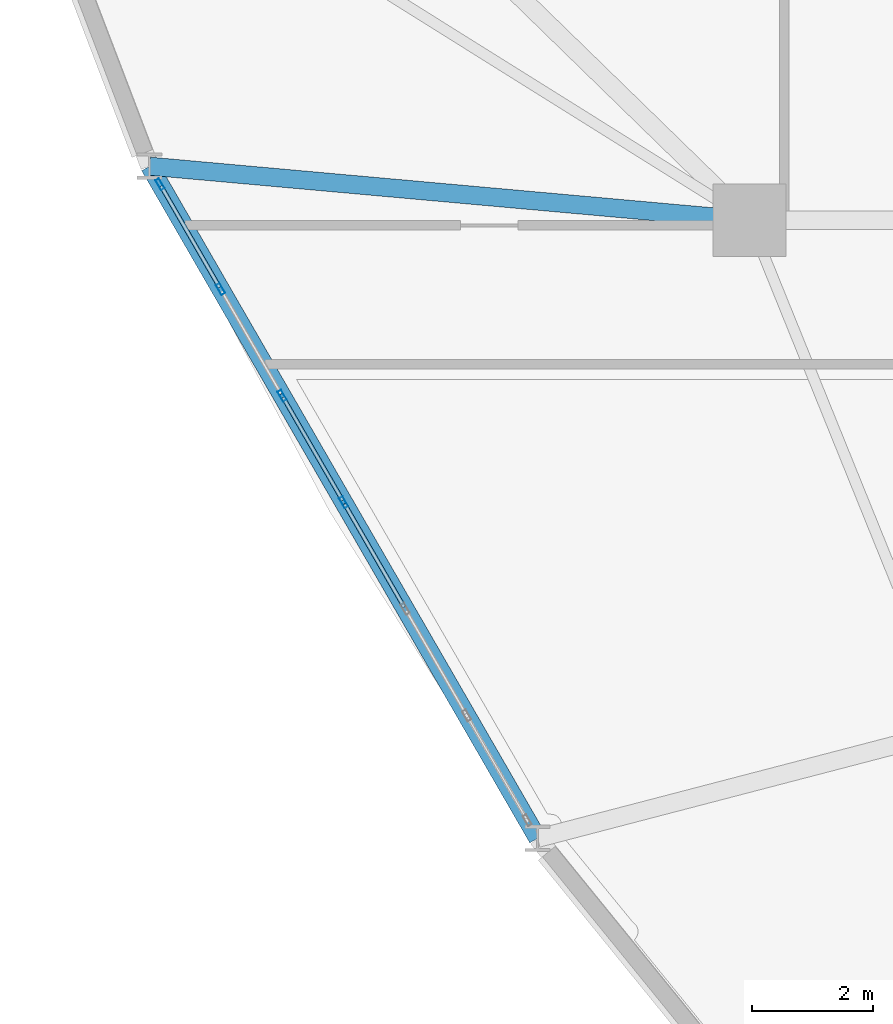
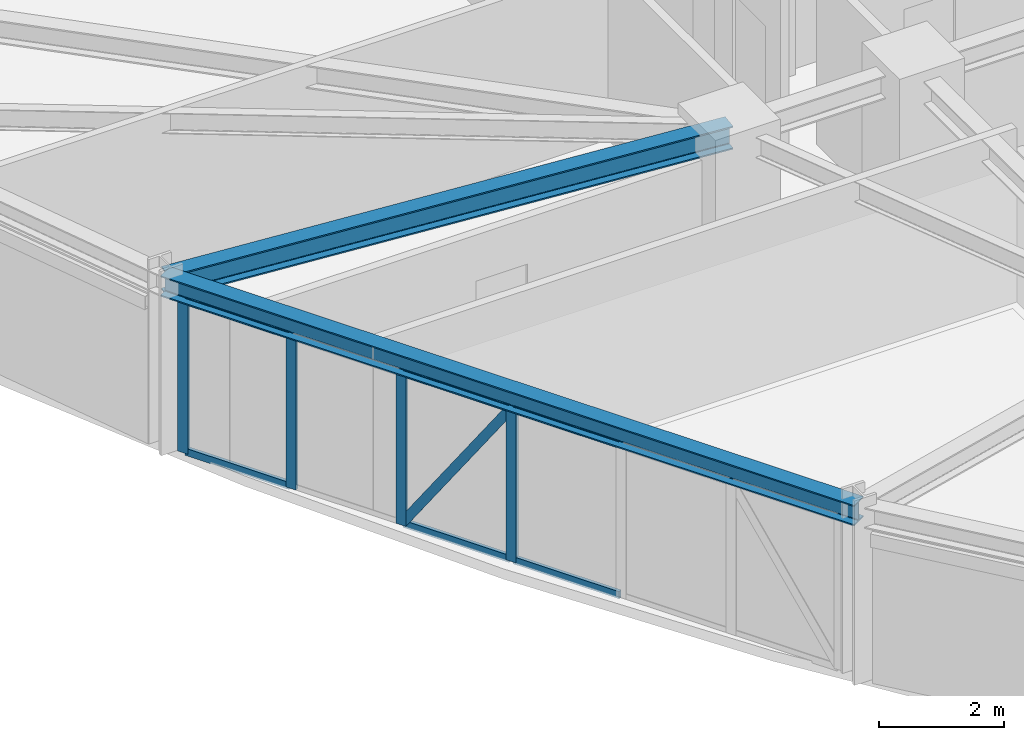
# One storey, part 4 of 15: 11 members, 2 beams, 1 element without a shape of its own.
"""IFC4 building model written with IfcOpenShell, lengths in metres."""

import ifcopenshell
import ifcopenshell.guid

model = None  # the IFC model being written
_history = None  # IfcOwnerHistory: only IFC2X3 demands one
_inside = {}  # id of a spatial element -> (the spatial element, [elements in it])
_under = {}  # id of a project, library or spatial element -> (it, [spatial elements below it])
_declared = {}  # id of a project -> (the project, [libraries it declares])
_typed = {}  # id of a type object -> (the type object, [elements of that type])
_made_of = {}  # id of a material, layer set ... -> (it, [elements and type objects made of it])


def new_model(schema):
    """Start an empty IFC model of exactly this schema.

    Asked for "IFC4X3", IfcOpenShell would pick the latest addendum, in which some entities
    have other attributes; the version numbers below select the first issue.
    IFC2X3 requires an IfcOwnerHistory on every rooted entity: one is made here for all.
    """
    global model, _history
    if schema == "IFC4X3":
        model = ifcopenshell.file(schema_version=(4, 3, 0, 0))
    else:
        model = ifcopenshell.file(schema=schema)
    _inside.clear()
    _under.clear()
    _declared.clear()
    _typed.clear()
    _made_of.clear()
    _history = None
    if model.schema == "IFC2X3":
        org = make("IfcOrganization", Name="unknown")
        user = make(
            "IfcPersonAndOrganization",
            ThePerson=make("IfcPerson", FamilyName="unknown"),
            TheOrganization=org,
        )
        app = make(
            "IfcApplication",
            ApplicationDeveloper=org,
            Version="unknown",
            ApplicationFullName="unknown",
            ApplicationIdentifier="unknown",
        )
        _history = make(
            "IfcOwnerHistory",
            OwningUser=user,
            OwningApplication=app,
            ChangeAction="ADDED",
            CreationDate=0,
        )
    return model


def make(cls, **values):
    """One entity of the class cls with the attributes given. An attribute that is None is left unset."""
    return model.create_entity(
        cls, **{name: value for name, value in values.items() if value is not None}
    )


def rooted(cls, **values):
    """An entity with a GlobalId (a new one), such as an element, a storey or a relation."""
    return make(cls, GlobalId=ifcopenshell.guid.new(), OwnerHistory=_history, **values)


def si_unit(unit_type, name, prefix=None):
    """IfcSIUnit, for example si_unit("LENGTHUNIT", "METRE", prefix="MILLI")."""
    return make("IfcSIUnit", UnitType=unit_type, Prefix=prefix, Name=name)


def derived_unit(unit_type, elements):
    """IfcDerivedUnit: a product of units, each with its exponent."""
    return make(
        "IfcDerivedUnit",
        Elements=[
            make("IfcDerivedUnitElement", Unit=unit, Exponent=power)
            for unit, power in elements
        ],
        UnitType=unit_type,
    )


def assignment(units):
    """IfcUnitAssignment: the units of a project."""
    return None if units is None else make("IfcUnitAssignment", Units=units)


def point(xyz):
    """IfcCartesianPoint."""
    return None if xyz is None else make("IfcCartesianPoint", Coordinates=xyz)


def direction(xyz):
    """IfcDirection."""
    return None if xyz is None else make("IfcDirection", DirectionRatios=xyz)


def frame(location, z_axis=None, x_axis=None):
    """IfcAxis2Placement3D, a coordinate frame: its origin and axes. An axis left out is left unset."""
    return make(
        "IfcAxis2Placement3D",
        Location=point(location),
        Axis=direction(z_axis),
        RefDirection=direction(x_axis),
    )


def frame_2d(location, x_axis=None):
    """IfcAxis2Placement2D, a coordinate frame in the plane: its origin and x axis."""
    return make(
        "IfcAxis2Placement2D", Location=point(location), RefDirection=direction(x_axis)
    )


def origin():
    """The frame at (0, 0, 0) with its axes left unset."""
    return frame((0.0, 0.0, 0.0))


def origin_2d():
    """The frame at (0, 0) in the plane with its x axis left unset."""
    return frame_2d((0.0, 0.0))


def place(relative_to, where):
    """IfcLocalPlacement: puts the frame where relative to a parent placement (None: the world)."""
    return make(
        "IfcLocalPlacement", PlacementRelTo=relative_to, RelativePlacement=where
    )


def context(
    kind, dimensions, precision=None, world=None, true_north=None, identifier=None
):
    """IfcGeometricRepresentationContext, for example the 3D "Model" context."""
    return make(
        "IfcGeometricRepresentationContext",
        ContextIdentifier=identifier,
        ContextType=kind,
        CoordinateSpaceDimension=dimensions,
        Precision=precision,
        WorldCoordinateSystem=world,
        TrueNorth=true_north,
    )


def subcontext(parent, identifier, kind, view, scale=None):
    """IfcGeometricRepresentationSubContext, for example "Body" below "Model"."""
    return make(
        "IfcGeometricRepresentationSubContext",
        ContextIdentifier=identifier,
        ContextType=kind,
        ParentContext=parent,
        TargetScale=scale,
        TargetView=view,
    )


def project(units=None, contexts=None):
    """IfcProject with its units and contexts."""
    return rooted(
        "IfcProject",
        Name="project",
        RepresentationContexts=contexts,
        UnitsInContext=assignment(units),
    )


def spatial(cls, under=None, at=None, **own):
    """A site, building, storey or space (cls), placed at a placement, below another one or the project."""
    s = rooted(cls, ObjectPlacement=at, **own)
    if under is not None:
        _under.setdefault(under.id(), (under, []))[1].append(s)
    return s


def profile(cls, at=None, kind="AREA", **sizes):
    """A parametric profile (cls). Its sizes go by their IFC names, for example OverallWidth=200.0."""
    return make(cls, ProfileType=kind, Position=at, **sizes)


def hollow_rectangle(**sizes):
    """IfcRectangleHollowProfileDef."""
    return profile("IfcRectangleHollowProfileDef", **sizes)


def i_section(**sizes):
    """IfcIShapeProfileDef."""
    return profile("IfcIShapeProfileDef", **sizes)


def extrude(swept, where, along, depth):
    """IfcExtrudedAreaSolid: the profile swept, set in the frame where, extruded along a direction by depth."""
    return make(
        "IfcExtrudedAreaSolid",
        SweptArea=swept,
        Position=where,
        ExtrudedDirection=direction(along),
        Depth=depth,
    )


def shape(context_of_items, identifier, shape_type, items):
    """IfcShapeRepresentation: the items that make up one representation, for example the "Body"."""
    return make(
        "IfcShapeRepresentation",
        ContextOfItems=context_of_items,
        RepresentationIdentifier=identifier,
        RepresentationType=shape_type,
        Items=items,
    )


def source(mapping_origin, context_of_items, identifier, shape_type, items):
    """IfcRepresentationMap: a shape defined once, which mapped items show again and again."""
    return make(
        "IfcRepresentationMap",
        MappingOrigin=mapping_origin,
        MappedRepresentation=shape(context_of_items, identifier, shape_type, items),
    )


def transform(
    local_origin,
    x_axis=None,
    y_axis=None,
    z_axis=None,
    scale=None,
    scale2=None,
    scale3=None,
    uniform=True,
):
    """IfcCartesianTransformationOperator3D, or its non-uniform kind. x_axis, y_axis, z_axis: its Axis1, 2, 3."""
    if uniform:
        return make(
            "IfcCartesianTransformationOperator3D",
            Axis1=direction(x_axis),
            Axis2=direction(y_axis),
            LocalOrigin=point(local_origin),
            Scale=scale,
            Axis3=direction(z_axis),
        )
    return make(
        "IfcCartesianTransformationOperator3DnonUniform",
        Axis1=direction(x_axis),
        Axis2=direction(y_axis),
        LocalOrigin=point(local_origin),
        Scale=scale,
        Axis3=direction(z_axis),
        Scale2=scale2,
        Scale3=scale3,
    )


def mapped(mapping_source, mapping_target):
    """IfcMappedItem: shows the shape of a source again, moved by a transform."""
    return make(
        "IfcMappedItem", MappingSource=mapping_source, MappingTarget=mapping_target
    )


def material(Name=None, Category=None):
    """IfcMaterial."""
    return make("IfcMaterial", Name=Name, Category=Category)


def layer(
    of_material, thickness, ventilated=None, Name=None, Category=None, Priority=None
):
    """IfcMaterialLayer: one layer of a wall or slab, of a material (None: an air gap)."""
    return make(
        "IfcMaterialLayer",
        Material=of_material,
        LayerThickness=thickness,
        IsVentilated=ventilated,
        Name=Name,
        Category=Category,
        Priority=Priority,
    )


def layer_set(layers, Name=None):
    """IfcMaterialLayerSet."""
    return make("IfcMaterialLayerSet", MaterialLayers=layers, LayerSetName=Name)


def material_profile(
    of_material, cross_section, Name=None, Category=None, Priority=None
):
    """IfcMaterialProfile: a cross section and its material."""
    return make(
        "IfcMaterialProfile",
        Name=Name,
        Material=of_material,
        Profile=cross_section,
        Priority=Priority,
        Category=Category,
    )


def profile_set(profiles, Name=None, composite=None):
    """IfcMaterialProfileSet."""
    return make(
        "IfcMaterialProfileSet",
        Name=Name,
        MaterialProfiles=profiles,
        CompositeProfile=composite,
    )


def made_of(thing, what):
    """Note that an element or type object is made of a material, layer set ...; save() writes the relation."""
    if what is not None:
        _made_of.setdefault(what.id(), (what, []))[1].append(thing)
    return thing


def type_object(cls, material=None, **own):
    """A type object (cls), such as IfcWallType, which elements share."""
    return made_of(rooted(cls, **own), material)


def element(
    cls,
    number,
    at=None,
    inside=None,
    cuts=None,
    type_object=None,
    material=None,
    context=None,
    identifier="Body",
    shape_type=None,
    held_by="IfcProductDefinitionShape",
    body=None,
    shapes=None,
    **own,
):
    """One element of the class cls, such as IfcWall. Its Tag is "e" and its number.

    at: its placement. inside: the storey or other place that contains it. cuts: it is an
    opening in that element (IfcRelVoidsElement). A single representation is given by context,
    identifier, shape_type and body (its items); several are given by shapes. held_by: the class
    of the entity that holds the representations. save() writes the other relations.
    """
    e = rooted(cls, Tag="e%d" % number, ObjectPlacement=at, **own)
    if body is not None:
        shapes = [shape(context, identifier, shape_type, body)]
    if shapes is not None:
        e.Representation = make(held_by, Representations=shapes)
    if inside is not None:
        _inside.setdefault(inside.id(), (inside, []))[1].append(e)
    if cuts is not None:
        rooted(
            "IfcRelVoidsElement", RelatingBuildingElement=cuts, RelatedOpeningElement=e
        )
    if type_object is not None:
        _typed.setdefault(type_object.id(), (type_object, []))[1].append(e)
    return made_of(e, material)


def aggregate(whole, parts):
    """IfcRelAggregates: a whole, such as a stair, and the parts it consists of."""
    return rooted("IfcRelAggregates", RelatingObject=whole, RelatedObjects=parts)


def save(model, path):
    """Write the relations noted so far, then the file.

    IfcRelAggregates (storeys below a building ...), IfcRelContainedInSpatialStructure (elements
    in a storey), IfcRelDefinesByType, IfcRelAssociatesMaterial and IfcRelDeclares: one each for
    every whole, place, type object, material and project.
    """
    for whole, parts in _under.values():
        aggregate(whole, parts)
    for where, things in _inside.values():
        rooted(
            "IfcRelContainedInSpatialStructure",
            RelatedElements=things,
            RelatingStructure=where,
        )
    for kind, things in _typed.values():
        rooted("IfcRelDefinesByType", RelatedObjects=things, RelatingType=kind)
    for what, things in _made_of.values():
        rooted("IfcRelAssociatesMaterial", RelatedObjects=things, RelatingMaterial=what)
    for by, libraries in _declared.values():
        rooted("IfcRelDeclares", RelatingContext=by, RelatedDefinitions=libraries)
    model.write(path)


model = new_model("IFC4")

# Units and contexts
model_context = context("Model", 3, precision=1e-05, world=origin(), true_north=direction((0.0, 1.0)))
body_context = subcontext(model_context, "Body", "Model", "MODEL_VIEW")
ifc_project = project(units=[si_unit("LENGTHUNIT", "METRE"), si_unit("AREAUNIT", "SQUARE_METRE"), si_unit("VOLUMEUNIT", "CUBIC_METRE"), si_unit("PLANEANGLEUNIT", "RADIAN"), si_unit("MASSUNIT", "GRAM", prefix="KILO"), derived_unit("THERMALTRANSMITTANCEUNIT", [(si_unit("POWERUNIT", "WATT"), 1), (si_unit("LENGTHUNIT", "METRE"), -2), (si_unit("THERMODYNAMICTEMPERATUREUNIT", "KELVIN"), -1)])], contexts=[model_context])

# Site, building, storey
site_placement = place(None, origin())
site = spatial("IfcSite", under=ifc_project, at=site_placement, CompositionType="ELEMENT")
building_placement = place(site_placement, origin())
building = spatial("IfcBuilding", under=site, at=building_placement, Name="Korsvarv Bourse and Concert Hall", CompositionType="ELEMENT")
storey_placement = place(building_placement, frame((0.0, 0.0, 161.39990234375)))
storey = spatial("IfcBuildingStorey", under=building, at=storey_placement, Name="L41", CompositionType="ELEMENT", Elevation=161.39990234375)

# Beams
ifc_material_1 = material(Name="Steel S355", Category="steel")
ifc_material_profile_1 = material_profile(ifc_material_1, i_section(OverallWidth=0.300048828125, OverallDepth=0.39990234375, WebThickness=0.013427734375, FlangeThickness=0.02392578125, FilletRadius=0.02099609375, at=origin_2d()), Name="HEB 400")
ifc_profile_set_1 = profile_set([ifc_material_profile_1], Name="Steel S355")
beam_type_1 = type_object("IfcBeamType", Name="BM-HEB400", PredefinedType="SPANDREL", material=ifc_profile_set_1)
shared_shape_1 = source(origin(), body_context, "Body", "SweptSolid", [
    extrude(i_section(OverallWidth=0.300048828125, OverallDepth=0.39990234375, WebThickness=0.013427734375, FlangeThickness=0.02392578125, FilletRadius=0.02099609375, at=origin_2d()), origin(), (0.0, 0.0, 1.0), 12.802978515625),
])
beam_1_placement = place(storey_placement, frame((14.30322265625, 33.2900390625, 3.2001953125), z_axis=(0.500009117708, -0.866020139609, 0.0), x_axis=(0.866020139609, 0.500009117708, 0.0)))
element("IfcBeam", 1, at=beam_1_placement, inside=storey, type_object=beam_type_1, Name="L41 beam B-09", PredefinedType="SPANDREL", context=body_context, shape_type="MappedRepresentation", body=[
    mapped(shared_shape_1, transform((0.0, 0.0, 0.0), scale=1.0)),
])
ifc_material_profile_2 = material_profile(ifc_material_1, i_section(OverallWidth=0.300048828125, OverallDepth=0.449951171875, WebThickness=0.013916015625, FlangeThickness=0.02587890625, FilletRadius=0.02099609375, at=origin_2d()), Name="HEB 450")
ifc_profile_set_2 = profile_set([ifc_material_profile_2], Name="Steel S355")
beam_type_2 = type_object("IfcBeamType", Name="BM-HEB450", PredefinedType="SPANDREL", material=ifc_profile_set_2)
shared_shape_2 = source(origin(), body_context, "Body", "SweptSolid", [
    extrude(i_section(OverallWidth=0.300048828125, OverallDepth=0.449951171875, WebThickness=0.013916015625, FlangeThickness=0.02587890625, FilletRadius=0.02099609375, at=origin_2d()), origin(), (0.0, 0.0, 1.0), 9.936767578125),
])
beam_2_placement = place(storey_placement, frame((14.30322265625, 33.2900390625, 3.175048828125), z_axis=(0.99597954808, -0.089580912063, 0.0), x_axis=(0.089580912063, 0.99597954808, 0.0)))
element("IfcBeam", 2, at=beam_2_placement, inside=storey, type_object=beam_type_2, Name="L41 beam B-08", PredefinedType="SPANDREL", context=body_context, shape_type="MappedRepresentation", body=[
    mapped(shared_shape_2, transform((0.0, 0.0, 0.0), scale=1.0)),
])

# Curtain wall, members
ifc_material_2 = material(Name="Anodised aluminium and triple low-E glazing", Category="glass")
ifc_layer = layer(ifc_material_2, 0.2099609375)
ifc_layer_set = layer_set([ifc_layer], Name="Anodised aluminium and triple low-E glazing")
curtain_wall_type = type_object("IfcCurtainWallType", Name="CW-SYS-2", PredefinedType="NOTDEFINED", material=ifc_layer_set)
curtain_wall_placement = place(storey_placement, origin())
curtain_wall = element("IfcCurtainWall", 3, at=curtain_wall_placement, inside=storey, type_object=curtain_wall_type, Name="L41 CW2 curtain wall CW-L41-F07", PredefinedType="NOTDEFINED")
ifc_material_3 = material(Name="Extruded aluminium EN AW-6063 T66", Category="aluminium")
ifc_material_profile_3 = material_profile(ifc_material_3, hollow_rectangle(XDim=0.070068359375, YDim=0.18994140625, WallThickness=0.0048828125, at=origin_2d()), Name="ALU-M 70x190")
ifc_profile_set_3 = profile_set([ifc_material_profile_3], Name="Extruded aluminium EN AW-6063 T66")
member_type_1 = type_object("IfcMemberType", Name="CWM-190", PredefinedType="MULLION", material=ifc_profile_set_3)
shared_shape_3 = source(origin(), body_context, "Body", "SweptSolid", [
    extrude(hollow_rectangle(XDim=0.070068359375, YDim=0.18994140625, WallThickness=0.0048828125, at=origin_2d()), origin(), (0.0, 0.0, 1.0), 3.0),
])
member_1_placement = place(storey_placement, frame((14.47509765625, 32.9921875, 0.0), z_axis=(0.0, 0.0, 1.0), x_axis=(0.86602405061, 0.500002343759, 0.0)))
member_1 = element("IfcMember", 4, at=member_1_placement, type_object=member_type_1, Name="CW2 mullion 1", PredefinedType="MULLION", context=body_context, shape_type="MappedRepresentation", body=[
    mapped(shared_shape_3, transform((0.0, 0.0, 0.0), scale=1.0)),
])
member_2_placement = place(storey_placement, frame((15.47314453125, 31.263916015625, 0.0), z_axis=(0.0, 0.0, 1.0), x_axis=(0.86602405061, 0.500002343759, 0.0)))
member_2 = element("IfcMember", 5, at=member_2_placement, type_object=member_type_1, Name="CW2 mullion 2", PredefinedType="MULLION", context=body_context, shape_type="MappedRepresentation", body=[
    mapped(shared_shape_3, transform((0.0, 0.0, 0.0), scale=1.0)),
])
member_3_placement = place(storey_placement, frame((16.488525390625, 29.5048828125, 0.0), z_axis=(0.0, 0.0, 1.0), x_axis=(0.86602405061, 0.500002343759, 0.0)))
member_3 = element("IfcMember", 6, at=member_3_placement, type_object=member_type_1, Name="CW2 mullion 3", PredefinedType="MULLION", context=body_context, shape_type="MappedRepresentation", body=[
    mapped(shared_shape_3, transform((0.0, 0.0, 0.0), scale=1.0)),
])
member_4_placement = place(storey_placement, frame((17.504150390625, 27.74609375, 0.0), z_axis=(0.0, 0.0, 1.0), x_axis=(0.86602405061, 0.500002343759, 0.0)))
member_4 = element("IfcMember", 7, at=member_4_placement, type_object=member_type_1, Name="CW2 mullion 4", PredefinedType="MULLION", context=body_context, shape_type="MappedRepresentation", body=[
    mapped(shared_shape_3, transform((0.0, 0.0, 0.0), scale=1.0)),
])
ifc_material_profile_4 = material_profile(ifc_material_3, hollow_rectangle(XDim=0.06494140625, YDim=0.139892578125, WallThickness=0.00390625, at=origin_2d()), Name="ALU-T 65x140")
ifc_profile_set_4 = profile_set([ifc_material_profile_4], Name="Extruded aluminium EN AW-6063 T66")
member_type_2 = type_object("IfcMemberType", Name="CWT-140", PredefinedType="USERDEFINED", material=ifc_profile_set_4)
shared_shape_4 = source(origin(), body_context, "Body", "SweptSolid", [
    extrude(hollow_rectangle(XDim=0.06494140625, YDim=0.139892578125, WallThickness=0.00390625, at=origin_2d()), origin(), (0.0, 0.0, 1.0), 1.92578125),
])
member_5_placement = place(storey_placement, frame((14.49267578125, 32.9619140625, 0.03271484375), z_axis=(0.50001143954, -0.866018799062, 0.0), x_axis=(0.866018799062, 0.50001143954, 0.0)))
member_5 = element("IfcMember", 8, at=member_5_placement, type_object=member_type_2, Name="CW2 transom 1.1", ObjectType="TRANSOM", PredefinedType="USERDEFINED", context=body_context, shape_type="MappedRepresentation", body=[
    mapped(shared_shape_4, transform((0.0, 0.0, 0.0), scale=1.0)),
])
member_6_placement = place(storey_placement, frame((14.49267578125, 32.9619140625, 2.967529296875), z_axis=(0.50001143954, -0.866018799062, 0.0), x_axis=(0.866018799062, 0.50001143954, 0.0)))
member_6 = element("IfcMember", 9, at=member_6_placement, type_object=member_type_2, Name="CW2 transom 1.2", ObjectType="TRANSOM", PredefinedType="USERDEFINED", context=body_context, shape_type="MappedRepresentation", body=[
    mapped(shared_shape_4, transform((0.0, 0.0, 0.0), scale=1.0)),
])
shared_shape_5 = source(origin(), body_context, "Body", "SweptSolid", [
    extrude(hollow_rectangle(XDim=0.06494140625, YDim=0.139892578125, WallThickness=0.00390625, at=origin_2d()), origin(), (0.0, 0.0, 1.0), 1.960693359375),
])
member_7_placement = place(storey_placement, frame((16.506103515625, 29.474609375, 0.03271484375), z_axis=(0.500049388818, -0.865996887259, 0.0), x_axis=(0.865996887259, 0.500049388818, 0.0)))
member_7 = element("IfcMember", 10, at=member_7_placement, type_object=member_type_2, Name="CW2 transom 3.1", ObjectType="TRANSOM", PredefinedType="USERDEFINED", context=body_context, shape_type="MappedRepresentation", body=[
    mapped(shared_shape_5, transform((0.0, 0.0, 0.0), scale=1.0)),
])
member_8_placement = place(storey_placement, frame((16.506103515625, 29.474609375, 2.967529296875), z_axis=(0.500049388818, -0.865996887259, 0.0), x_axis=(0.865996887259, 0.500049388818, 0.0)))
member_8 = element("IfcMember", 11, at=member_8_placement, type_object=member_type_2, Name="CW2 transom 3.2", ObjectType="TRANSOM", PredefinedType="USERDEFINED", context=body_context, shape_type="MappedRepresentation", body=[
    mapped(shared_shape_5, transform((0.0, 0.0, 0.0), scale=1.0)),
])
member_9_placement = place(storey_placement, frame((17.521484375, 27.7158203125, 0.03271484375), z_axis=(0.500049388818, -0.865996887259, 0.0), x_axis=(0.865996887259, 0.500049388818, 0.0)))
member_9 = element("IfcMember", 12, at=member_9_placement, type_object=member_type_2, Name="CW2 transom 4.1", ObjectType="TRANSOM", PredefinedType="USERDEFINED", context=body_context, shape_type="MappedRepresentation", body=[
    mapped(shared_shape_5, transform((0.0, 0.0, 0.0), scale=1.0)),
])
member_10_placement = place(storey_placement, frame((17.521484375, 27.7158203125, 2.967529296875), z_axis=(0.500049388818, -0.865996887259, 0.0), x_axis=(0.865996887259, 0.500049388818, 0.0)))
member_10 = element("IfcMember", 13, at=member_10_placement, type_object=member_type_2, Name="CW2 transom 4.2", ObjectType="TRANSOM", PredefinedType="USERDEFINED", context=body_context, shape_type="MappedRepresentation", body=[
    mapped(shared_shape_5, transform((0.0, 0.0, 0.0), scale=1.0)),
])
ifc_material_profile_5 = material_profile(ifc_material_3, hollow_rectangle(XDim=0.06494140625, YDim=0.1650390625, WallThickness=0.0048828125, at=origin_2d()), Name="ALU-M 65x165")
ifc_profile_set_5 = profile_set([ifc_material_profile_5], Name="Extruded aluminium EN AW-6063 T66")
member_type_3 = type_object("IfcMemberType", Name="CWM-165", PredefinedType="MULLION", material=ifc_profile_set_5)
shared_shape_6 = source(origin(), body_context, "Body", "SweptSolid", [
    extrude(hollow_rectangle(XDim=0.06494140625, YDim=0.1650390625, WallThickness=0.0048828125, at=origin_2d()), origin(), (0.0, 0.0, 1.0), 3.475830078125),
])
member_11_placement = place(storey_placement, frame((16.506103515625, 29.474609375, 0.065185546875), z_axis=(0.282090154367, -0.488530135365, 0.825689682417), x_axis=(0.865996887259, 0.500049388818, 0.0)))
member_11 = element("IfcMember", 14, at=member_11_placement, type_object=member_type_3, Name="CW2 diagonal mullion 3", PredefinedType="MULLION", context=body_context, shape_type="MappedRepresentation", body=[
    mapped(shared_shape_6, transform((0.0, 0.0, 0.0), scale=1.0)),
])
aggregate(curtain_wall, [member_1, member_2, member_3, member_4, member_5, member_6, member_7, member_8, member_11, member_9, member_10])

save(model, "model.ifc")
